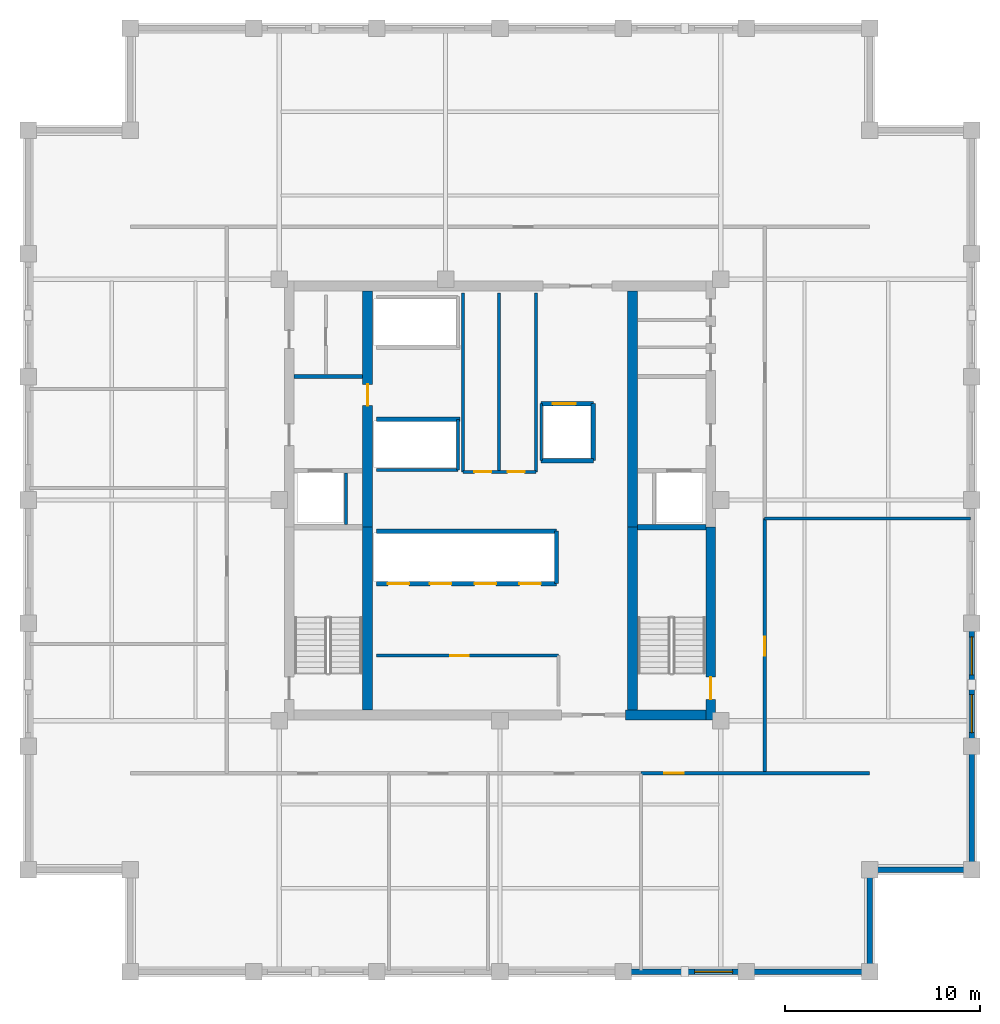
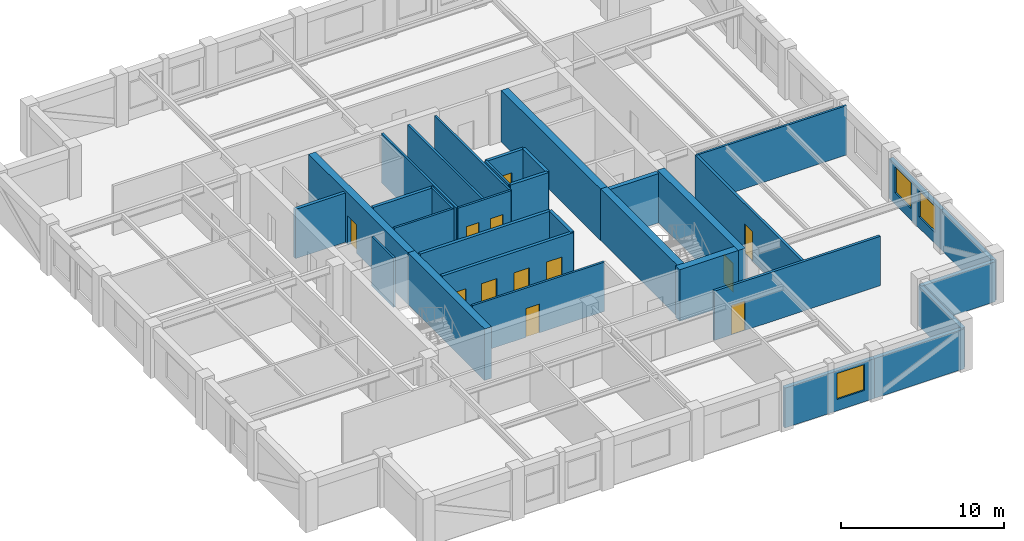
# One storey, part 3 of 6: 33 walls, 12 doors, 3 windows, 15 openings.
"""IFC4 building model written with IfcOpenShell, lengths in metres."""

import ifcopenshell
import ifcopenshell.guid

model = None  # the IFC model being written
_history = None  # IfcOwnerHistory: only IFC2X3 demands one
_inside = {}  # id of a spatial element -> (the spatial element, [elements in it])
_under = {}  # id of a project, library or spatial element -> (it, [spatial elements below it])
_declared = {}  # id of a project -> (the project, [libraries it declares])
_typed = {}  # id of a type object -> (the type object, [elements of that type])
_made_of = {}  # id of a material, layer set ... -> (it, [elements and type objects made of it])


def new_model(schema):
    """Start an empty IFC model of exactly this schema.

    Asked for "IFC4X3", IfcOpenShell would pick the latest addendum, in which some entities
    have other attributes; the version numbers below select the first issue.
    IFC2X3 requires an IfcOwnerHistory on every rooted entity: one is made here for all.
    """
    global model, _history
    if schema == "IFC4X3":
        model = ifcopenshell.file(schema_version=(4, 3, 0, 0))
    else:
        model = ifcopenshell.file(schema=schema)
    _inside.clear()
    _under.clear()
    _declared.clear()
    _typed.clear()
    _made_of.clear()
    _history = None
    if model.schema == "IFC2X3":
        org = make("IfcOrganization", Name="unknown")
        user = make(
            "IfcPersonAndOrganization",
            ThePerson=make("IfcPerson", FamilyName="unknown"),
            TheOrganization=org,
        )
        app = make(
            "IfcApplication",
            ApplicationDeveloper=org,
            Version="unknown",
            ApplicationFullName="unknown",
            ApplicationIdentifier="unknown",
        )
        _history = make(
            "IfcOwnerHistory",
            OwningUser=user,
            OwningApplication=app,
            ChangeAction="ADDED",
            CreationDate=0,
        )
    return model


def make(cls, **values):
    """One entity of the class cls with the attributes given. An attribute that is None is left unset."""
    return model.create_entity(
        cls, **{name: value for name, value in values.items() if value is not None}
    )


def rooted(cls, **values):
    """An entity with a GlobalId (a new one), such as an element, a storey or a relation."""
    return make(cls, GlobalId=ifcopenshell.guid.new(), OwnerHistory=_history, **values)


def si_unit(unit_type, name, prefix=None):
    """IfcSIUnit, for example si_unit("LENGTHUNIT", "METRE", prefix="MILLI")."""
    return make("IfcSIUnit", UnitType=unit_type, Prefix=prefix, Name=name)


def assignment(units):
    """IfcUnitAssignment: the units of a project."""
    return None if units is None else make("IfcUnitAssignment", Units=units)


def point(xyz):
    """IfcCartesianPoint."""
    return None if xyz is None else make("IfcCartesianPoint", Coordinates=xyz)


def direction(xyz):
    """IfcDirection."""
    return None if xyz is None else make("IfcDirection", DirectionRatios=xyz)


def frame(location, z_axis=None, x_axis=None):
    """IfcAxis2Placement3D, a coordinate frame: its origin and axes. An axis left out is left unset."""
    return make(
        "IfcAxis2Placement3D",
        Location=point(location),
        Axis=direction(z_axis),
        RefDirection=direction(x_axis),
    )


def frame_2d(location, x_axis=None):
    """IfcAxis2Placement2D, a coordinate frame in the plane: its origin and x axis."""
    return make(
        "IfcAxis2Placement2D", Location=point(location), RefDirection=direction(x_axis)
    )


def origin():
    """The frame at (0, 0, 0) with its axes left unset."""
    return frame((0.0, 0.0, 0.0))


def place(relative_to, where):
    """IfcLocalPlacement: puts the frame where relative to a parent placement (None: the world)."""
    return make(
        "IfcLocalPlacement", PlacementRelTo=relative_to, RelativePlacement=where
    )


def context(
    kind, dimensions, precision=None, world=None, true_north=None, identifier=None
):
    """IfcGeometricRepresentationContext, for example the 3D "Model" context."""
    return make(
        "IfcGeometricRepresentationContext",
        ContextIdentifier=identifier,
        ContextType=kind,
        CoordinateSpaceDimension=dimensions,
        Precision=precision,
        WorldCoordinateSystem=world,
        TrueNorth=true_north,
    )


def subcontext(parent, identifier, kind, view, scale=None):
    """IfcGeometricRepresentationSubContext, for example "Body" below "Model"."""
    return make(
        "IfcGeometricRepresentationSubContext",
        ContextIdentifier=identifier,
        ContextType=kind,
        ParentContext=parent,
        TargetScale=scale,
        TargetView=view,
    )


def project(units=None, contexts=None):
    """IfcProject with its units and contexts."""
    return rooted(
        "IfcProject",
        Name="project",
        RepresentationContexts=contexts,
        UnitsInContext=assignment(units),
    )


def spatial(cls, under=None, at=None, **own):
    """A site, building, storey or space (cls), placed at a placement, below another one or the project."""
    s = rooted(cls, ObjectPlacement=at, **own)
    if under is not None:
        _under.setdefault(under.id(), (under, []))[1].append(s)
    return s


def profile(cls, at=None, kind="AREA", **sizes):
    """A parametric profile (cls). Its sizes go by their IFC names, for example OverallWidth=200.0."""
    return make(cls, ProfileType=kind, Position=at, **sizes)


def rectangle(**sizes):
    """IfcRectangleProfileDef."""
    return profile("IfcRectangleProfileDef", **sizes)


def extrude(swept, where, along, depth):
    """IfcExtrudedAreaSolid: the profile swept, set in the frame where, extruded along a direction by depth."""
    return make(
        "IfcExtrudedAreaSolid",
        SweptArea=swept,
        Position=where,
        ExtrudedDirection=direction(along),
        Depth=depth,
    )


def shape(context_of_items, identifier, shape_type, items):
    """IfcShapeRepresentation: the items that make up one representation, for example the "Body"."""
    return make(
        "IfcShapeRepresentation",
        ContextOfItems=context_of_items,
        RepresentationIdentifier=identifier,
        RepresentationType=shape_type,
        Items=items,
    )


def material(Name=None, Category=None):
    """IfcMaterial."""
    return make("IfcMaterial", Name=Name, Category=Category)


def layer(
    of_material, thickness, ventilated=None, Name=None, Category=None, Priority=None
):
    """IfcMaterialLayer: one layer of a wall or slab, of a material (None: an air gap)."""
    return make(
        "IfcMaterialLayer",
        Material=of_material,
        LayerThickness=thickness,
        IsVentilated=ventilated,
        Name=Name,
        Category=Category,
        Priority=Priority,
    )


def layer_set(layers, Name=None):
    """IfcMaterialLayerSet."""
    return make("IfcMaterialLayerSet", MaterialLayers=layers, LayerSetName=Name)


def made_of(thing, what):
    """Note that an element or type object is made of a material, layer set ...; save() writes the relation."""
    if what is not None:
        _made_of.setdefault(what.id(), (what, []))[1].append(thing)
    return thing


def type_object(cls, material=None, **own):
    """A type object (cls), such as IfcWallType, which elements share."""
    return made_of(rooted(cls, **own), material)


def element(
    cls,
    number,
    at=None,
    inside=None,
    cuts=None,
    type_object=None,
    material=None,
    context=None,
    identifier="Body",
    shape_type=None,
    held_by="IfcProductDefinitionShape",
    body=None,
    shapes=None,
    **own,
):
    """One element of the class cls, such as IfcWall. Its Tag is "e" and its number.

    at: its placement. inside: the storey or other place that contains it. cuts: it is an
    opening in that element (IfcRelVoidsElement). A single representation is given by context,
    identifier, shape_type and body (its items); several are given by shapes. held_by: the class
    of the entity that holds the representations. save() writes the other relations.
    """
    e = rooted(cls, Tag="e%d" % number, ObjectPlacement=at, **own)
    if body is not None:
        shapes = [shape(context, identifier, shape_type, body)]
    if shapes is not None:
        e.Representation = make(held_by, Representations=shapes)
    if inside is not None:
        _inside.setdefault(inside.id(), (inside, []))[1].append(e)
    if cuts is not None:
        rooted(
            "IfcRelVoidsElement", RelatingBuildingElement=cuts, RelatedOpeningElement=e
        )
    if type_object is not None:
        _typed.setdefault(type_object.id(), (type_object, []))[1].append(e)
    return made_of(e, material)


def fill(opening, filler):
    """IfcRelFillsElement: the door or window that sits in an opening."""
    return rooted(
        "IfcRelFillsElement",
        RelatingOpeningElement=opening,
        RelatedBuildingElement=filler,
    )


def aggregate(whole, parts):
    """IfcRelAggregates: a whole, such as a stair, and the parts it consists of."""
    return rooted("IfcRelAggregates", RelatingObject=whole, RelatedObjects=parts)


def save(model, path):
    """Write the relations noted so far, then the file.

    IfcRelAggregates (storeys below a building ...), IfcRelContainedInSpatialStructure (elements
    in a storey), IfcRelDefinesByType, IfcRelAssociatesMaterial and IfcRelDeclares: one each for
    every whole, place, type object, material and project.
    """
    for whole, parts in _under.values():
        aggregate(whole, parts)
    for where, things in _inside.values():
        rooted(
            "IfcRelContainedInSpatialStructure",
            RelatedElements=things,
            RelatingStructure=where,
        )
    for kind, things in _typed.values():
        rooted("IfcRelDefinesByType", RelatedObjects=things, RelatingType=kind)
    for what, things in _made_of.values():
        rooted("IfcRelAssociatesMaterial", RelatedObjects=things, RelatingMaterial=what)
    for by, libraries in _declared.values():
        rooted("IfcRelDeclares", RelatingContext=by, RelatedDefinitions=libraries)
    model.write(path)


model = new_model("IFC4")

# Units and contexts
model_context = context("Model", 3, precision=1e-05, world=origin(), true_north=direction((0.0, 1.0)))
body_context = subcontext(model_context, "Body", "Model", "MODEL_VIEW")
ifc_project = project(units=[si_unit("LENGTHUNIT", "METRE"), si_unit("AREAUNIT", "SQUARE_METRE"), si_unit("VOLUMEUNIT", "CUBIC_METRE"), si_unit("PLANEANGLEUNIT", "RADIAN"), si_unit("MASSUNIT", "GRAM", prefix="KILO")], contexts=[model_context])

# Site, building, storey
site_placement = place(None, origin())
site = spatial("IfcSite", under=ifc_project, at=site_placement, CompositionType="ELEMENT")
building_placement = place(site_placement, origin())
building = spatial("IfcBuilding", under=site, at=building_placement, Name="Nhamokura Convention Tower", CompositionType="ELEMENT")
storey_placement = place(building_placement, frame((0.0, 0.0, 225.39990234375)))
storey = spatial("IfcBuildingStorey", under=building, at=storey_placement, Name="L55", CompositionType="ELEMENT", Elevation=225.39990234375)

# Wall, opening, window
ifc_material_1 = material(Name="Bronze-pigmented precast concrete C45/55", Category="concrete")
ifc_layer_1 = layer(ifc_material_1, 0.280029296875)
ifc_layer_set_1 = layer_set([ifc_layer_1], Name="BronzePrecastSpandrel_280")
wall_type_1 = type_object("IfcWallType", Name="BronzePrecastSpandrel_280", PredefinedType="USERDEFINED", material=ifc_layer_set_1)
wall_1_placement = place(storey_placement, frame((44.666748046875, 7.75, 0.0), z_axis=(0.0, 0.0, 1.0), x_axis=(-1.0, 0.0, 0.0)))
wall_1 = element("IfcWall", 1, at=wall_1_placement, inside=storey, type_object=wall_type_1, Name="L55 Masonry-Frame Wall SOUTH 4", ObjectType="SPANDREL_WALL", PredefinedType="USERDEFINED", context=body_context, shape_type="SweptSolid", body=[
    extrude(rectangle(XDim=6.33349609375, YDim=0.280029296875, at=frame_2d((3.166748046875, 0.0))), origin(), (0.0, 0.0, 1.0), 2.985107421875),
])
opening_1_placement = place(wall_1_placement, frame((0.708251953125, 0.0, 0.85009765625)))
opening_1 = element("IfcOpeningElement", 2, at=opening_1_placement, cuts=wall_1, Name="Opening W-08", PredefinedType="OPENING", context=body_context, shape_type="SweptSolid", body=[
    extrude(rectangle(XDim=1.949951171875, YDim=1.93505859375, at=frame_2d((0.97509765625, 0.967529296875))), frame((0.0, 0.14990234375, 0.0), z_axis=(0.0, -1.0, 0.0), x_axis=(1.0, 0.0, 0.0)), (0.0, 0.0, 1.0), 0.300048828125),
])
ifc_material_2 = material(Name="Solar-control bronze low-E double glass", Category="glass")
window_type = type_object("IfcWindowType", Name="OfficeModuleWindow_Z3_1950", PartitioningType="SINGLE_PANEL", PredefinedType="WINDOW", material=ifc_material_2)
window_1_placement = place(opening_1_placement, origin())
window_1 = element("IfcWindow", 3, at=window_1_placement, inside=storey, type_object=window_type, Name="L55 Facade Window SOUTH 4-1", OverallHeight=1.93505859375, OverallWidth=1.949951171875, PartitioningType="SINGLE_PANEL", PredefinedType="WINDOW", context=body_context, shape_type="SweptSolid", body=[
    extrude(rectangle(XDim=1.949951171875, YDim=1.93505859375, at=frame_2d((0.97509765625, 0.967529296875))), frame((0.0, 0.030029296875, 0.0), z_axis=(0.0, -1.0, 0.0), x_axis=(1.0, 0.0, 0.0)), (0.0, 0.0, 1.0), 0.06005859375),
])
fill(opening_1, window_1)

# Walls
for number, where, z_axis, x_axis, name in (
    (4, (51.0, 7.75, 0.0), (0.0, 0.0, 1.0), (-1.0, 0.0, 0.0), "L55 Braced-Bay Precast Wall SOUTH 5"),
    (5, (56.25, 19.333251953125, 0.0), (0.0, 0.0, 1.0), (0.0, -1.0, 0.0), "L55 Braced-Bay Precast Wall EAST 0"),
):
    element("IfcWall", number, at=place(storey_placement, frame(where, z_axis=z_axis, x_axis=x_axis)), inside=storey, type_object=wall_type_1, Name=name, ObjectType="SPANDREL_WALL", PredefinedType="USERDEFINED", context=body_context, shape_type="SweptSolid", body=[
        extrude(rectangle(XDim=6.333251953125, YDim=0.280029296875, at=frame_2d((3.16650390625, 0.0))), origin(), (0.0, 0.0, 1.0), 2.985107421875),
    ])

# Wall, openings, windows
wall_2_placement = place(storey_placement, frame((56.25, 25.666748046875, 0.0), z_axis=(0.0, 0.0, 1.0), x_axis=(0.0, -1.0, 0.0)))
wall_2 = element("IfcWall", 6, at=wall_2_placement, inside=storey, type_object=wall_type_1, Name="L55 Masonry-Frame Wall EAST 1", ObjectType="SPANDREL_WALL", PredefinedType="USERDEFINED", context=body_context, shape_type="SweptSolid", body=[
    extrude(rectangle(XDim=6.33349609375, YDim=0.280029296875, at=frame_2d((3.166748046875, 0.0))), origin(), (0.0, 0.0, 1.0), 2.985107421875),
])
opening_2_placement = place(wall_2_placement, frame((0.708251953125, 0.0, 0.85009765625)))
opening_2 = element("IfcOpeningElement", 7, at=opening_2_placement, cuts=wall_2, Name="Opening W-08", PredefinedType="OPENING", context=body_context, shape_type="SweptSolid", body=[
    extrude(rectangle(XDim=1.949951171875, YDim=1.93505859375, at=frame_2d((0.97509765625, 0.967529296875))), frame((0.0, 0.14990234375, 0.0), z_axis=(0.0, -1.0, 0.0), x_axis=(1.0, 0.0, 0.0)), (0.0, 0.0, 1.0), 0.300048828125),
])
opening_3_placement = place(wall_2_placement, frame((3.675048828125, 0.0, 0.85009765625)))
opening_3 = element("IfcOpeningElement", 8, at=opening_3_placement, cuts=wall_2, Name="Opening W-08", PredefinedType="OPENING", context=body_context, shape_type="SweptSolid", body=[
    extrude(rectangle(XDim=1.949951171875, YDim=1.93505859375, at=frame_2d((0.97509765625, 0.967529296875))), frame((0.0, 0.14990234375, 0.0), z_axis=(0.0, -1.0, 0.0), x_axis=(1.0, 0.0, 0.0)), (0.0, 0.0, 1.0), 0.300048828125),
])
window_2_placement = place(opening_2_placement, origin())
window_2 = element("IfcWindow", 9, at=window_2_placement, inside=storey, type_object=window_type, Name="L55 Facade Window EAST 1-1", OverallHeight=1.93505859375, OverallWidth=1.949951171875, PartitioningType="SINGLE_PANEL", PredefinedType="WINDOW", context=body_context, shape_type="SweptSolid", body=[
    extrude(rectangle(XDim=1.949951171875, YDim=1.93505859375, at=frame_2d((0.97509765625, 0.967529296875))), frame((0.0, 0.030029296875, 0.0), z_axis=(0.0, -1.0, 0.0), x_axis=(1.0, 0.0, 0.0)), (0.0, 0.0, 1.0), 0.06005859375),
])
fill(opening_2, window_2)
window_3_placement = place(opening_3_placement, origin())
window_3 = element("IfcWindow", 10, at=window_3_placement, inside=storey, type_object=window_type, Name="L55 Facade Window EAST 1-2", OverallHeight=1.93505859375, OverallWidth=1.949951171875, PartitioningType="SINGLE_PANEL", PredefinedType="WINDOW", context=body_context, shape_type="SweptSolid", body=[
    extrude(rectangle(XDim=1.949951171875, YDim=1.93505859375, at=frame_2d((0.97509765625, 0.967529296875))), frame((0.0, 0.030029296875, 0.0), z_axis=(0.0, -1.0, 0.0), x_axis=(1.0, 0.0, 0.0)), (0.0, 0.0, 1.0), 0.06005859375),
])
fill(opening_3, window_3)

# Walls
for number, where, z_axis, x_axis, name in (
    (11, (51.0, 13.0, 0.0), (0.0, 0.0, 1.0), (0.0, -1.0, 0.0), "L55 Notched Corner Wall SE1"),
    (12, (56.25, 13.0, 0.0), (0.0, 0.0, 1.0), (-1.0, 0.0, 0.0), "L55 Notched Corner Wall SE2"),
):
    element("IfcWall", number, at=place(storey_placement, frame(where, z_axis=z_axis, x_axis=x_axis)), inside=storey, type_object=wall_type_1, Name=name, ObjectType="SPANDREL_WALL", PredefinedType="USERDEFINED", context=body_context, shape_type="SweptSolid", body=[
        extrude(rectangle(XDim=5.25, YDim=0.280029296875, at=frame_2d((2.625, 0.0))), origin(), (0.0, 0.0, 1.0), 2.985107421875),
    ])

# Wall, opening, door
ifc_material_3 = material(Name="Concrete C60/75", Category="concrete")
ifc_layer_2 = layer(ifc_material_3, 0.5)
ifc_layer_set_2 = layer_set([ifc_layer_2], Name="CoreShearWall_500")
wall_type_2 = type_object("IfcWallType", Name="CoreShearWall_500", PredefinedType="SHEAR", material=ifc_layer_set_2)
wall_3_placement = place(storey_placement, frame((42.840087890625, 20.699951171875, 0.0), z_axis=(0.0, 0.0, 1.0), x_axis=(0.0, 1.0, 0.0)))
wall_3 = element("IfcWall", 13, at=wall_3_placement, inside=storey, type_object=wall_type_2, Name="L55 Core Shear Wall CW-ES", PredefinedType="SHEAR", context=body_context, shape_type="SweptSolid", body=[
    extrude(rectangle(XDim=9.900146484375, YDim=0.5, at=frame_2d((4.9501953125, 0.0))), origin(), (0.0, 0.0, 1.0), 3.85009765625),
])
opening_4_placement = place(wall_3_placement, frame((1.050048828125, 0.0, 0.0)))
opening_4 = element("IfcOpeningElement", 14, at=opening_4_placement, cuts=wall_3, Name="Opening D-04", PredefinedType="OPENING", context=body_context, shape_type="SweptSolid", body=[
    extrude(rectangle(XDim=1.14990234375, YDim=2.14990234375, at=frame_2d((0.574951171875, 1.074951171875))), frame((0.0, 0.260009765625, 0.0), z_axis=(0.0, -1.0, 0.0), x_axis=(1.0, 0.0, 0.0)), (0.0, 0.0, 1.0), 0.52001953125),
])
ifc_material_4 = material(Name="Fire-rated steel door", Category="steel")
door_type_1 = type_object("IfcDoorType", Name="StairSmokeDoor_1150", OperationType="NOTDEFINED", PredefinedType="DOOR", material=ifc_material_4)
door_1_placement = place(opening_4_placement, origin())
door_1 = element("IfcDoor", 15, at=door_1_placement, inside=storey, type_object=door_type_1, Name="L55 Core Door INT-L55-D-ST02", OperationType="SINGLE_SWING_RIGHT", OverallHeight=2.14990234375, OverallWidth=1.14990234375, PredefinedType="DOOR", context=body_context, shape_type="SweptSolid", body=[
    extrude(rectangle(XDim=1.14990234375, YDim=2.14990234375, at=frame_2d((0.574951171875, 1.074951171875))), frame((0.0, 0.02490234375, 0.0), z_axis=(0.0, -1.0, 0.0), x_axis=(1.0, 0.0, 0.0)), (0.0, 0.0, 1.0), 0.050048828125),
])
fill(opening_4, door_1)

# Walls
wall_4_placement = place(storey_placement, frame((38.449951171875, 20.949951171875, 0.0), z_axis=(0.0, 0.0, 1.0), x_axis=(1.0, 0.0, 0.0)))
element("IfcWall", 16, at=wall_4_placement, inside=storey, type_object=wall_type_2, Name="L55 Core Shear Wall CW-S2", PredefinedType="SHEAR", context=body_context, shape_type="SweptSolid", body=[
    extrude(rectangle(XDim=4.14013671875, YDim=0.5, at=frame_2d((2.070068359375, 0.0))), origin(), (0.0, 0.0, 1.0), 3.85009765625),
])
wall_5_placement = place(storey_placement, frame((25.18994140625, 21.199951171875, 0.0), z_axis=(0.0, 0.0, 1.0), x_axis=(0.0, 1.0, 0.0)))
element("IfcWall", 17, at=wall_5_placement, inside=storey, type_object=wall_type_2, Name="L55 Core Shear Wall CW-IWS", PredefinedType="SHEAR", context=body_context, shape_type="SweptSolid", body=[
    extrude(rectangle(XDim=9.400146484375, YDim=0.5, at=frame_2d((4.7001953125, 0.0))), origin(), (0.0, 0.0, 1.0), 3.85009765625),
])

# Wall, opening, door
wall_6_placement = place(storey_placement, frame((25.18994140625, 30.60009765625, 0.0), z_axis=(0.0, 0.0, 1.0), x_axis=(0.0, 1.0, 0.0)))
wall_6 = element("IfcWall", 18, at=wall_6_placement, inside=storey, type_object=wall_type_2, Name="L55 Core Shear Wall CW-IWN", PredefinedType="SHEAR", context=body_context, shape_type="SweptSolid", body=[
    extrude(rectangle(XDim=12.14990234375, YDim=0.5, at=frame_2d((6.074951171875, 0.0))), origin(), (0.0, 0.0, 1.0), 3.85009765625),
])
opening_5_placement = place(wall_6_placement, frame((6.25, 0.0, 0.0)))
opening_5 = element("IfcOpeningElement", 19, at=opening_5_placement, cuts=wall_6, Name="Opening D-05", PredefinedType="OPENING", context=body_context, shape_type="SweptSolid", body=[
    extrude(rectangle(XDim=1.10009765625, YDim=2.14990234375, at=frame_2d((0.550048828125, 1.074951171875))), frame((0.0, 0.260009765625, 0.0), z_axis=(0.0, -1.0, 0.0), x_axis=(1.0, 0.0, 0.0)), (0.0, 0.0, 1.0), 0.52001953125),
])
ifc_material_5 = material(Name="Fire-rated steel door", Category="steel")
door_type_2 = type_object("IfcDoorType", Name="FireLobbyDoor_1100", OperationType="NOTDEFINED", PredefinedType="DOOR", material=ifc_material_5)
door_2_placement = place(opening_5_placement, origin())
door_2 = element("IfcDoor", 20, at=door_2_placement, inside=storey, type_object=door_type_2, Name="L55 Core Door INT-L55-D-B3LOB", OperationType="SINGLE_SWING_LEFT", OverallHeight=2.14990234375, OverallWidth=1.10009765625, PredefinedType="DOOR", context=body_context, shape_type="SweptSolid", body=[
    extrude(rectangle(XDim=1.10009765625, YDim=2.14990234375, at=frame_2d((0.550048828125, 1.074951171875))), frame((0.0, 0.02490234375, 0.0), z_axis=(0.0, -1.0, 0.0), x_axis=(1.0, 0.0, 0.0)), (0.0, 0.0, 1.0), 0.050048828125),
])
fill(opening_5, door_2)

# Walls
wall_7_placement = place(storey_placement, frame((38.81005859375, 21.199951171875, 0.0), z_axis=(0.0, 0.0, 1.0), x_axis=(0.0, 1.0, 0.0)))
element("IfcWall", 21, at=wall_7_placement, inside=storey, type_object=wall_type_2, Name="L55 Core Shear Wall CW-IES", PredefinedType="SHEAR", context=body_context, shape_type="SweptSolid", body=[
    extrude(rectangle(XDim=9.400146484375, YDim=0.5, at=frame_2d((4.7001953125, 0.0))), origin(), (0.0, 0.0, 1.0), 3.85009765625),
])
wall_8_placement = place(storey_placement, frame((38.81005859375, 30.60009765625, 0.0), z_axis=(0.0, 0.0, 1.0), x_axis=(0.0, 1.0, 0.0)))
element("IfcWall", 22, at=wall_8_placement, inside=storey, type_object=wall_type_2, Name="L55 Core Shear Wall CW-IEN", PredefinedType="SHEAR", context=body_context, shape_type="SweptSolid", body=[
    extrude(rectangle(XDim=12.14990234375, YDim=0.5, at=frame_2d((6.074951171875, 0.0))), origin(), (0.0, 0.0, 1.0), 3.85009765625),
])

# Wall, opening, door
ifc_material_6 = material(Name="Fire-rated gypsum and masonry partition", Category="masonry")
ifc_layer_3 = layer(ifc_material_6, 0.179931640625)
ifc_layer_set_3 = layer_set([ifc_layer_3], Name="CorridorRatedWall_180")
wall_type_3 = type_object("IfcWallType", Name="CorridorRatedWall_180", PredefinedType="STANDARD", material=ifc_layer_set_3)
wall_9_placement = place(storey_placement, frame((39.25830078125, 17.949951171875, 0.0), z_axis=(0.0, 0.0, 1.0), x_axis=(1.0, 0.0, 0.0)))
wall_9 = element("IfcWall", 23, at=wall_9_placement, inside=storey, type_object=wall_type_3, Name="L55 Wall INT-L55-CW-S03", PredefinedType="STANDARD", context=body_context, shape_type="SweptSolid", body=[
    extrude(rectangle(XDim=11.74169921875, YDim=0.179931640625, at=frame_2d((5.870849609375, 0.0))), origin(), (0.0, 0.0, 1.0), 3.68505859375),
])
opening_6_placement = place(wall_9_placement, frame((1.19580078125, 0.0, 0.0)))
opening_6 = element("IfcOpeningElement", 24, at=opening_6_placement, cuts=wall_9, Name="Opening D-08", PredefinedType="OPENING", context=body_context, shape_type="SweptSolid", body=[
    extrude(rectangle(XDim=0.97998046875, YDim=2.199951171875, at=frame_2d((0.489990234375, 1.10009765625))), frame((0.0, 0.099853515625, 0.0), z_axis=(0.0, -1.0, 0.0), x_axis=(1.0, 0.0, 0.0)), (0.0, 0.0, 1.0), 0.199951171875),
])
ifc_material_7 = material(Name="Solid oak hardwood", Category="wood")
door_type_3 = type_object("IfcDoorType", Name="OfficeEntryDoor_980", OperationType="NOTDEFINED", PredefinedType="DOOR", material=ifc_material_7)
door_3_placement = place(opening_6_placement, origin())
door_3 = element("IfcDoor", 25, at=door_3_placement, inside=storey, type_object=door_type_3, Name="L55 Executive Suite S04 Door", OperationType="SINGLE_SWING_RIGHT", OverallHeight=2.199951171875, OverallWidth=0.97998046875, PredefinedType="DOOR", context=body_context, shape_type="SweptSolid", body=[
    extrude(rectangle(XDim=0.97998046875, YDim=2.199951171875, at=frame_2d((0.489990234375, 1.10009765625))), frame((0.0, 0.02490234375, 0.0), z_axis=(0.0, -1.0, 0.0), x_axis=(1.0, 0.0, 0.0)), (0.0, 0.0, 1.0), 0.050048828125),
])
fill(opening_6, door_3)

wall_10_placement = place(storey_placement, frame((45.60009765625, 17.949951171875, 0.0), z_axis=(0.0, 0.0, 1.0), x_axis=(0.0, 1.0, 0.0)))
wall_10 = element("IfcWall", 26, at=wall_10_placement, inside=storey, type_object=wall_type_3, Name="L55 Wall INT-L55-CW-E00", PredefinedType="STANDARD", context=body_context, shape_type="SweptSolid", body=[
    extrude(rectangle(XDim=13.10009765625, YDim=0.179931640625, at=frame_2d((6.550048828125, 0.0))), origin(), (0.0, 0.0, 1.0), 3.68505859375),
])
opening_7_placement = place(wall_10_placement, frame((6.050048828125, 0.0, 0.0)))
opening_7 = element("IfcOpeningElement", 27, at=opening_7_placement, cuts=wall_10, Name="Opening D-08", PredefinedType="OPENING", context=body_context, shape_type="SweptSolid", body=[
    extrude(rectangle(XDim=0.97998046875, YDim=2.199951171875, at=frame_2d((0.489990234375, 1.10009765625))), frame((0.0, 0.099853515625, 0.0), z_axis=(0.0, -1.0, 0.0), x_axis=(1.0, 0.0, 0.0)), (0.0, 0.0, 1.0), 0.199951171875),
])
door_4_placement = place(opening_7_placement, origin())
door_4 = element("IfcDoor", 28, at=door_4_placement, inside=storey, type_object=door_type_3, Name="L55 Executive Lounge E01 Door", OperationType="SINGLE_SWING_LEFT", OverallHeight=2.199951171875, OverallWidth=0.97998046875, PredefinedType="DOOR", context=body_context, shape_type="SweptSolid", body=[
    extrude(rectangle(XDim=0.97998046875, YDim=2.199951171875, at=frame_2d((0.489990234375, 1.10009765625))), frame((0.0, 0.02490234375, 0.0), z_axis=(0.0, -1.0, 0.0), x_axis=(1.0, 0.0, 0.0)), (0.0, 0.0, 1.0), 0.050048828125),
])
fill(opening_7, door_4)

# Wall
ifc_material_8 = material(Name="Autoclaved concrete blockwork", Category="masonry")
ifc_layer_4 = layer(ifc_material_8, 0.219970703125)
ifc_layer_set_4 = layer_set([ifc_layer_4], Name="FireLobbyWall_220")
wall_type_4 = type_object("IfcWallType", Name="FireLobbyWall_220", PredefinedType="STANDARD", material=ifc_layer_set_4)
wall_11_placement = place(storey_placement, frame((21.409912109375, 38.35009765625, 0.0), z_axis=(0.0, 0.0, 1.0), x_axis=(1.0, 0.0, 0.0)))
element("IfcWall", 29, at=wall_11_placement, inside=storey, type_object=wall_type_4, Name="L55 Wall INT-L55-FFW-N", PredefinedType="STANDARD", context=body_context, shape_type="SweptSolid", body=[
    extrude(rectangle(XDim=3.530029296875, YDim=0.219970703125, at=frame_2d((1.76513671875, 0.0))), origin(), (0.0, 0.0, 1.0), 3.68505859375),
])

# Wall, openings, doors
wall_12_placement = place(storey_placement, frame((25.64990234375, 27.699951171875, 0.0), z_axis=(0.0, 0.0, 1.0), x_axis=(1.0, 0.0, 0.0)))
wall_12 = element("IfcWall", 30, at=wall_12_placement, inside=storey, type_object=wall_type_4, Name="L55 Wall INT-L55-B2S", PredefinedType="STANDARD", context=body_context, shape_type="SweptSolid", body=[
    extrude(rectangle(XDim=9.25, YDim=0.219970703125, at=frame_2d((4.625, 0.0))), origin(), (0.0, 0.0, 1.0), 3.68505859375),
])
opening_8_placement = place(wall_12_placement, frame((0.580078125, 0.0, 0.0)))
opening_8 = element("IfcOpeningElement", 31, at=opening_8_placement, cuts=wall_12, Name="Opening LD-01", PredefinedType="OPENING", context=body_context, shape_type="SweptSolid", body=[
    extrude(rectangle(XDim=1.10009765625, YDim=2.14990234375, at=frame_2d((0.550048828125, 1.074951171875))), frame((0.0, 0.119873046875, 0.0), z_axis=(0.0, -1.0, 0.0), x_axis=(1.0, 0.0, 0.0)), (0.0, 0.0, 1.0), 0.239990234375),
])
opening_9_placement = place(wall_12_placement, frame((2.75, 0.0, 0.0)))
opening_9 = element("IfcOpeningElement", 32, at=opening_9_placement, cuts=wall_12, Name="Opening LD-01", PredefinedType="OPENING", context=body_context, shape_type="SweptSolid", body=[
    extrude(rectangle(XDim=1.10009765625, YDim=2.14990234375, at=frame_2d((0.550048828125, 1.074951171875))), frame((0.0, 0.119873046875, 0.0), z_axis=(0.0, -1.0, 0.0), x_axis=(1.0, 0.0, 0.0)), (0.0, 0.0, 1.0), 0.239990234375),
])
opening_10_placement = place(wall_12_placement, frame((5.050048828125, 0.0, 0.0)))
opening_10 = element("IfcOpeningElement", 33, at=opening_10_placement, cuts=wall_12, Name="Opening LD-01", PredefinedType="OPENING", context=body_context, shape_type="SweptSolid", body=[
    extrude(rectangle(XDim=1.10009765625, YDim=2.14990234375, at=frame_2d((0.550048828125, 1.074951171875))), frame((0.0, 0.119873046875, 0.0), z_axis=(0.0, -1.0, 0.0), x_axis=(1.0, 0.0, 0.0)), (0.0, 0.0, 1.0), 0.239990234375),
])
opening_11_placement = place(wall_12_placement, frame((7.35009765625, 0.0, 0.0)))
opening_11 = element("IfcOpeningElement", 34, at=opening_11_placement, cuts=wall_12, Name="Opening LD-01", PredefinedType="OPENING", context=body_context, shape_type="SweptSolid", body=[
    extrude(rectangle(XDim=1.10009765625, YDim=2.14990234375, at=frame_2d((0.550048828125, 1.074951171875))), frame((0.0, 0.119873046875, 0.0), z_axis=(0.0, -1.0, 0.0), x_axis=(1.0, 0.0, 0.0)), (0.0, 0.0, 1.0), 0.239990234375),
])
ifc_material_9 = material(Name="Anodised bronze stainless steel", Category="steel")
door_type_4 = type_object("IfcDoorType", Name="LiftLandingDoor_Passenger", OperationType="DOUBLE_DOOR_SLIDING", PredefinedType="DOOR", material=ifc_material_9)
door_5_placement = place(opening_8_placement, origin())
door_5 = element("IfcDoor", 35, at=door_5_placement, inside=storey, type_object=door_type_4, Name="L55 Lift LP-05 Landing Door", OperationType="DOUBLE_DOOR_SLIDING", OverallHeight=2.14990234375, OverallWidth=1.10009765625, PredefinedType="DOOR", context=body_context, shape_type="SweptSolid", body=[
    extrude(rectangle(XDim=1.10009765625, YDim=2.14990234375, at=frame_2d((0.550048828125, 1.074951171875))), frame((0.0, 0.02490234375, 0.0), z_axis=(0.0, -1.0, 0.0), x_axis=(1.0, 0.0, 0.0)), (0.0, 0.0, 1.0), 0.050048828125),
])
fill(opening_8, door_5)
door_6_placement = place(opening_9_placement, origin())
door_6 = element("IfcDoor", 36, at=door_6_placement, inside=storey, type_object=door_type_4, Name="L55 Lift LP-06 Landing Door", OperationType="DOUBLE_DOOR_SLIDING", OverallHeight=2.14990234375, OverallWidth=1.10009765625, PredefinedType="DOOR", context=body_context, shape_type="SweptSolid", body=[
    extrude(rectangle(XDim=1.10009765625, YDim=2.14990234375, at=frame_2d((0.550048828125, 1.074951171875))), frame((0.0, 0.02490234375, 0.0), z_axis=(0.0, -1.0, 0.0), x_axis=(1.0, 0.0, 0.0)), (0.0, 0.0, 1.0), 0.050048828125),
])
fill(opening_9, door_6)
door_7_placement = place(opening_10_placement, origin())
door_7 = element("IfcDoor", 37, at=door_7_placement, inside=storey, type_object=door_type_4, Name="L55 Lift LP-07 Landing Door", OperationType="DOUBLE_DOOR_SLIDING", OverallHeight=2.14990234375, OverallWidth=1.10009765625, PredefinedType="DOOR", context=body_context, shape_type="SweptSolid", body=[
    extrude(rectangle(XDim=1.10009765625, YDim=2.14990234375, at=frame_2d((0.550048828125, 1.074951171875))), frame((0.0, 0.02490234375, 0.0), z_axis=(0.0, -1.0, 0.0), x_axis=(1.0, 0.0, 0.0)), (0.0, 0.0, 1.0), 0.050048828125),
])
fill(opening_10, door_7)
door_8_placement = place(opening_11_placement, origin())
door_8 = element("IfcDoor", 38, at=door_8_placement, inside=storey, type_object=door_type_4, Name="L55 Lift LP-08 Landing Door", OperationType="DOUBLE_DOOR_SLIDING", OverallHeight=2.14990234375, OverallWidth=1.10009765625, PredefinedType="DOOR", context=body_context, shape_type="SweptSolid", body=[
    extrude(rectangle(XDim=1.10009765625, YDim=2.14990234375, at=frame_2d((0.550048828125, 1.074951171875))), frame((0.0, 0.02490234375, 0.0), z_axis=(0.0, -1.0, 0.0), x_axis=(1.0, 0.0, 0.0)), (0.0, 0.0, 1.0), 0.050048828125),
])
fill(opening_11, door_8)

# Walls
wall_13_placement = place(storey_placement, frame((25.64990234375, 30.39990234375, 0.0), z_axis=(0.0, 0.0, 1.0), x_axis=(1.0, 0.0, 0.0)))
element("IfcWall", 39, at=wall_13_placement, inside=storey, type_object=wall_type_4, Name="L55 Wall INT-L55-B2N", PredefinedType="STANDARD", context=body_context, shape_type="SweptSolid", body=[
    extrude(rectangle(XDim=9.25, YDim=0.219970703125, at=frame_2d((4.625, 0.0))), origin(), (0.0, 0.0, 1.0), 3.68505859375),
])
wall_14_placement = place(storey_placement, frame((34.89990234375, 27.699951171875, 0.0), z_axis=(0.0, 0.0, 1.0), x_axis=(0.0, 1.0, 0.0)))
element("IfcWall", 40, at=wall_14_placement, inside=storey, type_object=wall_type_4, Name="L55 Wall INT-L55-B2E", PredefinedType="STANDARD", context=body_context, shape_type="SweptSolid", body=[
    extrude(rectangle(XDim=2.699951171875, YDim=0.219970703125, at=frame_2d((1.35009765625, 0.0))), origin(), (0.0, 0.0, 1.0), 3.68505859375),
])
wall_15_placement = place(storey_placement, frame((25.64990234375, 36.14990234375, 0.0), z_axis=(0.0, 0.0, 1.0), x_axis=(1.0, 0.0, 0.0)))
element("IfcWall", 41, at=wall_15_placement, inside=storey, type_object=wall_type_4, Name="L55 Wall INT-L55-B3S", PredefinedType="STANDARD", context=body_context, shape_type="SweptSolid", body=[
    extrude(rectangle(XDim=4.300048828125, YDim=0.219970703125, at=frame_2d((2.14990234375, 0.0))), origin(), (0.0, 0.0, 1.0), 3.68505859375),
])

# Wall, opening, door
wall_16_placement = place(storey_placement, frame((34.1201171875, 36.949951171875, 0.0), z_axis=(0.0, 0.0, 1.0), x_axis=(1.0, 0.0, 0.0)))
wall_16 = element("IfcWall", 42, at=wall_16_placement, inside=storey, type_object=wall_type_4, Name="L55 Wall INT-L55-LSN", PredefinedType="STANDARD", context=body_context, shape_type="SweptSolid", body=[
    extrude(rectangle(XDim=2.679931640625, YDim=0.219970703125, at=frame_2d((1.33984375, 0.0))), origin(), (0.0, 0.0, 1.0), 3.68505859375),
])
opening_12_placement = place(wall_16_placement, frame((0.580078125, 0.0, 0.0)))
opening_12 = element("IfcOpeningElement", 43, at=opening_12_placement, cuts=wall_16, Name="Opening LD-02", PredefinedType="OPENING", context=body_context, shape_type="SweptSolid", body=[
    extrude(rectangle(XDim=1.199951171875, YDim=2.199951171875, at=frame_2d((0.60009765625, 1.10009765625))), frame((0.0, 0.119873046875, 0.0), z_axis=(0.0, -1.0, 0.0), x_axis=(1.0, 0.0, 0.0)), (0.0, 0.0, 1.0), 0.239990234375),
])
ifc_material_10 = material(Name="Anodised bronze stainless steel", Category="steel")
door_type_5 = type_object("IfcDoorType", Name="LiftLandingDoor_FireService", OperationType="DOUBLE_DOOR_SLIDING", PredefinedType="DOOR", material=ifc_material_10)
door_9_placement = place(opening_12_placement, origin())
door_9 = element("IfcDoor", 44, at=door_9_placement, inside=storey, type_object=door_type_5, Name="L55 Service Lift LS-01 Door", OperationType="DOUBLE_DOOR_SLIDING", OverallHeight=2.199951171875, OverallWidth=1.199951171875, PredefinedType="DOOR", context=body_context, shape_type="SweptSolid", body=[
    extrude(rectangle(XDim=1.199951171875, YDim=2.199951171875, at=frame_2d((0.60009765625, 1.10009765625))), frame((0.0, 0.02490234375, 0.0), z_axis=(0.0, -1.0, 0.0), x_axis=(1.0, 0.0, 0.0)), (0.0, 0.0, 1.0), 0.050048828125),
])
fill(opening_12, door_9)

# Walls
wall_17_placement = place(storey_placement, frame((36.800048828125, 34.02001953125, 0.0), z_axis=(0.0, 0.0, 1.0), x_axis=(0.0, 1.0, 0.0)))
element("IfcWall", 45, at=wall_17_placement, inside=storey, type_object=wall_type_4, Name="L55 Wall INT-L55-LSE", PredefinedType="STANDARD", context=body_context, shape_type="SweptSolid", body=[
    extrude(rectangle(XDim=2.929931640625, YDim=0.219970703125, at=frame_2d((1.46484375, 0.0))), origin(), (0.0, 0.0, 1.0), 3.68505859375),
])
wall_18_placement = place(storey_placement, frame((34.1201171875, 34.02001953125, 0.0), z_axis=(0.0, 0.0, 1.0), x_axis=(1.0, 0.0, 0.0)))
element("IfcWall", 46, at=wall_18_placement, inside=storey, type_object=wall_type_4, Name="L55 Wall INT-L55-LSS", PredefinedType="STANDARD", context=body_context, shape_type="SweptSolid", body=[
    extrude(rectangle(XDim=2.679931640625, YDim=0.219970703125, at=frame_2d((1.33984375, 0.0))), origin(), (0.0, 0.0, 1.0), 3.68505859375),
])
ifc_material_11 = material(Name="Acoustic gypsum stud partition", Category="masonry")
ifc_layer_5 = layer(ifc_material_11, 0.14990234375)
ifc_layer_set_5 = layer_set([ifc_layer_5], Name="InteriorPartition_150")
wall_type_5 = type_object("IfcWallType", Name="InteriorPartition_150", PredefinedType="STANDARD", material=ifc_layer_set_5)
wall_19_placement = place(storey_placement, frame((24.080078125, 30.75, 0.0), z_axis=(0.0, 0.0, 1.0), x_axis=(0.0, 1.0, 0.0)))
element("IfcWall", 47, at=wall_19_placement, inside=storey, type_object=wall_type_5, Name="L55 Wall INT-L55-FF1-E", PredefinedType="STANDARD", context=body_context, shape_type="SweptSolid", body=[
    extrude(rectangle(XDim=2.64990234375, YDim=0.14990234375, at=frame_2d((1.324951171875, 0.0))), origin(), (0.0, 0.0, 1.0), 3.68505859375),
])

# Wall, opening, door
wall_20_placement = place(storey_placement, frame((25.64990234375, 24.0, 0.0), z_axis=(0.0, 0.0, 1.0), x_axis=(1.0, 0.0, 0.0)))
wall_20 = element("IfcWall", 48, at=wall_20_placement, inside=storey, type_object=wall_type_5, Name="L55 Wall INT-L55-B1R-N", PredefinedType="STANDARD", context=body_context, shape_type="SweptSolid", body=[
    extrude(rectangle(XDim=9.35009765625, YDim=0.14990234375, at=frame_2d((4.675048828125, 0.0))), origin(), (0.0, 0.0, 1.0), 3.68505859375),
])
opening_13_placement = place(wall_20_placement, frame((3.800048828125, 0.0, 0.0)))
opening_13 = element("IfcOpeningElement", 49, at=opening_13_placement, cuts=wall_20, Name="Opening D-09", PredefinedType="OPENING", context=body_context, shape_type="SweptSolid", body=[
    extrude(rectangle(XDim=0.949951171875, YDim=2.14990234375, at=frame_2d((0.47509765625, 1.074951171875))), frame((0.0, 0.0849609375, 0.0), z_axis=(0.0, -1.0, 0.0), x_axis=(1.0, 0.0, 0.0)), (0.0, 0.0, 1.0), 0.169921875),
])
ifc_material_12 = material(Name="Solid oak hardwood", Category="wood")
door_type_6 = type_object("IfcDoorType", Name="MeetingRoomDoor_950", OperationType="NOTDEFINED", PredefinedType="DOOR", material=ifc_material_12)
door_10_placement = place(opening_13_placement, origin())
door_10 = element("IfcDoor", 50, at=door_10_placement, inside=storey, type_object=door_type_6, Name="L55 Reclaimed Briefing Room Door", OperationType="SINGLE_SWING_RIGHT", OverallHeight=2.14990234375, OverallWidth=0.949951171875, PredefinedType="DOOR", context=body_context, shape_type="SweptSolid", body=[
    extrude(rectangle(XDim=0.949951171875, YDim=2.14990234375, at=frame_2d((0.47509765625, 1.074951171875))), frame((0.0, 0.02490234375, 0.0), z_axis=(0.0, -1.0, 0.0), x_axis=(1.0, 0.0, 0.0)), (0.0, 0.0, 1.0), 0.050048828125),
])
fill(opening_13, door_10)

# Walls
wall_21_placement = place(storey_placement, frame((25.64990234375, 33.550048828125, 0.0), z_axis=(0.0, 0.0, 1.0), x_axis=(1.0, 0.0, 0.0)))
element("IfcWall", 51, at=wall_21_placement, inside=storey, type_object=wall_type_5, Name="L55 Wall INT-L55-B3A-S", PredefinedType="STANDARD", context=body_context, shape_type="SweptSolid", body=[
    extrude(rectangle(XDim=4.2001953125, YDim=0.14990234375, at=frame_2d((2.10009765625, 0.0))), origin(), (0.0, 0.0, 1.0), 3.68505859375),
])
wall_22_placement = place(storey_placement, frame((29.85009765625, 33.550048828125, 0.0), z_axis=(0.0, 0.0, 1.0), x_axis=(0.0, 1.0, 0.0)))
element("IfcWall", 52, at=wall_22_placement, inside=storey, type_object=wall_type_5, Name="L55 Wall INT-L55-B3A-E", PredefinedType="STANDARD", context=body_context, shape_type="SweptSolid", body=[
    extrude(rectangle(XDim=2.599853515625, YDim=0.14990234375, at=frame_2d((1.2998046875, 0.0))), origin(), (0.0, 0.0, 1.0), 3.68505859375),
])
for number, where, z_axis, x_axis, name in (
    (53, (30.10009765625, 33.449951171875, 0.0), (0.0, 0.0, 1.0), (0.0, 1.0, 0.0), "L55 Wall INT-L55-ST03W"),
    (54, (31.949951171875, 33.449951171875, 0.0), (0.0, 0.0, 1.0), (0.0, 1.0, 0.0), "L55 Wall INT-L55-ST03M"),
    (55, (33.85009765625, 33.449951171875, 0.0), (0.0, 0.0, 1.0), (0.0, 1.0, 0.0), "L55 Wall INT-L55-ST03E"),
):
    element("IfcWall", number, at=place(storey_placement, frame(where, z_axis=z_axis, x_axis=x_axis)), inside=storey, type_object=wall_type_5, Name=name, PredefinedType="STANDARD", context=body_context, shape_type="SweptSolid", body=[
        extrude(rectangle(XDim=9.199951171875, YDim=0.14990234375, at=frame_2d((4.60009765625, 0.0))), origin(), (0.0, 0.0, 1.0), 3.68505859375),
    ])

# Wall, openings, doors
wall_23_placement = place(storey_placement, frame((30.10009765625, 33.449951171875, 0.0), z_axis=(0.0, 0.0, 1.0), x_axis=(1.0, 0.0, 0.0)))
wall_23 = element("IfcWall", 56, at=wall_23_placement, inside=storey, type_object=wall_type_5, Name="L55 Wall INT-L55-ST03S", PredefinedType="STANDARD", context=body_context, shape_type="SweptSolid", body=[
    extrude(rectangle(XDim=3.75, YDim=0.14990234375, at=frame_2d((1.875, 0.0))), origin(), (0.0, 0.0, 1.0), 3.68505859375),
])
opening_14_placement = place(wall_23_placement, frame((0.580078125, 0.0, 0.0)))
opening_14 = element("IfcOpeningElement", 57, at=opening_14_placement, cuts=wall_23, Name="Opening D-11", PredefinedType="OPENING", context=body_context, shape_type="SweptSolid", body=[
    extrude(rectangle(XDim=0.8798828125, YDim=2.10009765625, at=frame_2d((0.43994140625, 1.050048828125))), frame((0.0, 0.0849609375, 0.0), z_axis=(0.0, -1.0, 0.0), x_axis=(1.0, 0.0, 0.0)), (0.0, 0.0, 1.0), 0.169921875),
])
opening_15_placement = place(wall_23_placement, frame((2.2900390625, 0.0, 0.0)))
opening_15 = element("IfcOpeningElement", 58, at=opening_15_placement, cuts=wall_23, Name="Opening D-11", PredefinedType="OPENING", context=body_context, shape_type="SweptSolid", body=[
    extrude(rectangle(XDim=0.8798828125, YDim=2.10009765625, at=frame_2d((0.43994140625, 1.050048828125))), frame((0.0, 0.0849609375, 0.0), z_axis=(0.0, -1.0, 0.0), x_axis=(1.0, 0.0, 0.0)), (0.0, 0.0, 1.0), 0.169921875),
])
ifc_material_13 = material(Name="Solid oak hardwood", Category="wood")
door_type_7 = type_object("IfcDoorType", Name="BathroomDoor_880", OperationType="NOTDEFINED", PredefinedType="DOOR", material=ifc_material_13)
door_11_placement = place(opening_14_placement, origin())
door_11 = element("IfcDoor", 59, at=door_11_placement, inside=storey, type_object=door_type_7, Name="L55 Wellness Suite Door", OperationType="SINGLE_SWING_LEFT", OverallHeight=2.10009765625, OverallWidth=0.8798828125, PredefinedType="DOOR", context=body_context, shape_type="SweptSolid", body=[
    extrude(rectangle(XDim=0.8798828125, YDim=2.10009765625, at=frame_2d((0.43994140625, 1.050048828125))), frame((0.0, 0.02490234375, 0.0), z_axis=(0.0, -1.0, 0.0), x_axis=(1.0, 0.0, 0.0)), (0.0, 0.0, 1.0), 0.050048828125),
])
fill(opening_14, door_11)
door_12_placement = place(opening_15_placement, origin())
door_12 = element("IfcDoor", 60, at=door_12_placement, inside=storey, type_object=door_type_7, Name="L55 Records Archive Door", OperationType="SINGLE_SWING_RIGHT", OverallHeight=2.10009765625, OverallWidth=0.8798828125, PredefinedType="DOOR", context=body_context, shape_type="SweptSolid", body=[
    extrude(rectangle(XDim=0.8798828125, YDim=2.10009765625, at=frame_2d((0.43994140625, 1.050048828125))), frame((0.0, 0.02490234375, 0.0), z_axis=(0.0, -1.0, 0.0), x_axis=(1.0, 0.0, 0.0)), (0.0, 0.0, 1.0), 0.050048828125),
])
fill(opening_15, door_12)

# Walls
wall_24_placement = place(storey_placement, frame((34.1201171875, 34.02001953125, 0.0), z_axis=(0.0, 0.0, 1.0), x_axis=(0.0, 1.0, 0.0)))
element("IfcWall", 61, at=wall_24_placement, inside=storey, type_object=wall_type_5, Name="L55 Wall INT-L55-LSW", PredefinedType="STANDARD", context=body_context, shape_type="SweptSolid", body=[
    extrude(rectangle(XDim=2.929931640625, YDim=0.14990234375, at=frame_2d((1.46484375, 0.0))), origin(), (0.0, 0.0, 1.0), 3.68505859375),
])
wall_25_placement = place(storey_placement, frame((45.60009765625, 31.050048828125, 0.0), z_axis=(0.0, 0.0, 1.0), x_axis=(1.0, 0.0, 0.0)))
element("IfcWall", 62, at=wall_25_placement, inside=storey, type_object=wall_type_5, Name="L55 Wall INT-L55-RW-E01", PredefinedType="STANDARD", context=body_context, shape_type="SweptSolid", body=[
    extrude(rectangle(XDim=10.58984375, YDim=0.14990234375, at=frame_2d((5.294921875, 0.0))), origin(), (0.0, 0.0, 1.0), 3.68505859375),
])
ifc_material_14 = material(Name="Concrete C50/60", Category="concrete")
ifc_layer_6 = layer(ifc_material_14, 0.300048828125)
ifc_layer_set_6 = layer_set([ifc_layer_6], Name="ShaftEnclosureWall_300")
wall_type_6 = type_object("IfcWallType", Name="ShaftEnclosureWall_300", PredefinedType="SHEAR", material=ifc_layer_set_6)
wall_26_placement = place(storey_placement, frame((39.06005859375, 30.60009765625, 0.0), z_axis=(0.0, 0.0, 1.0), x_axis=(1.0, 0.0, 0.0)))
element("IfcWall", 63, at=wall_26_placement, inside=storey, type_object=wall_type_6, Name="L55 Wall INT-L55-ST02-N", PredefinedType="SHEAR", context=body_context, shape_type="SweptSolid", body=[
    extrude(rectangle(XDim=3.530029296875, YDim=0.300048828125, at=frame_2d((1.76513671875, 0.0))), origin(), (0.0, 0.0, 1.0), 3.68505859375),
])

save(model, "model.ifc")
